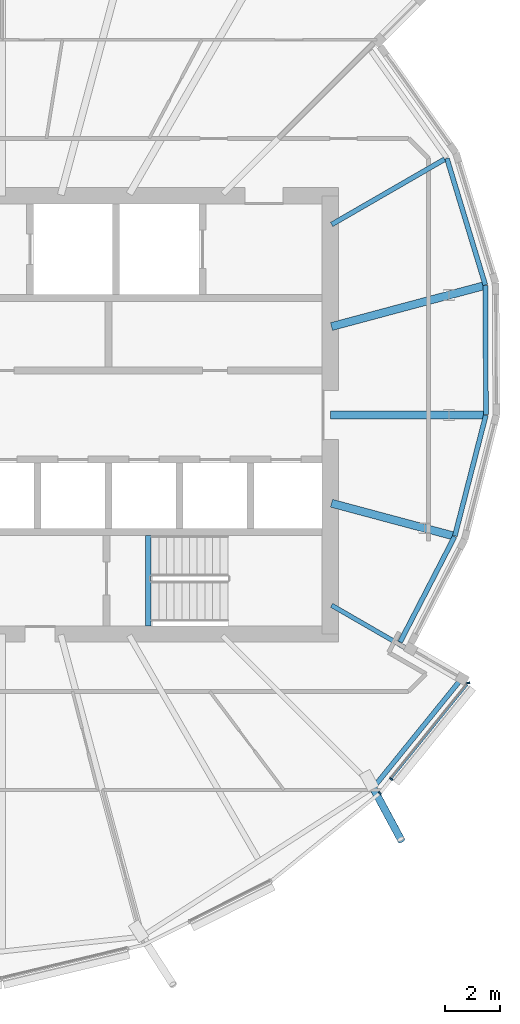
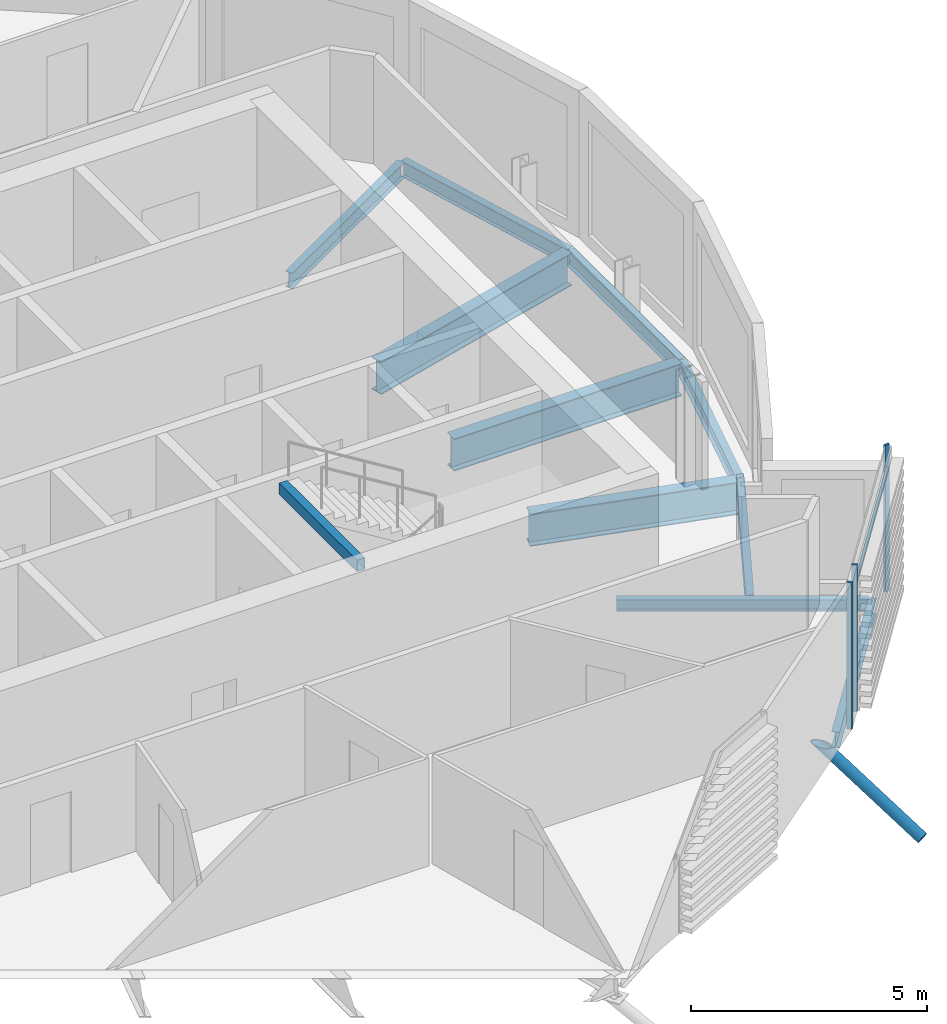
# One storey, part 15 of 38: 11 beams, 5 members, 1 element without a shape of its own.
"""IFC4 building model written with IfcOpenShell, lengths in metres."""

from ifc_helpers import new_model, si_unit, direction, frame, origin, origin_2d, place, context, subcontext, project, spatial, rectangle, hollow_rectangle, hollow_circle, i_section, extrude, clip, halfspace, material, material_profile, profile_set, type_object, element, aggregate, save


model = new_model("IFC4")

# Units and contexts
model_context = context("Model", 3, precision=1e-05, world=origin(), true_north=direction((0.0, 1.0)))
body_context = subcontext(model_context, "Body", "Model", "MODEL_VIEW")
ifc_project = project(units=[si_unit("LENGTHUNIT", "METRE"), si_unit("AREAUNIT", "SQUARE_METRE"), si_unit("VOLUMEUNIT", "CUBIC_METRE"), si_unit("PLANEANGLEUNIT", "RADIAN"), si_unit("MASSUNIT", "GRAM", prefix="KILO")], contexts=[model_context])

# Site, building, storey
site_placement = place(None, origin())
site = spatial("IfcSite", under=ifc_project, at=site_placement, CompositionType="ELEMENT")
building_placement = place(site_placement, origin())
building = spatial("IfcBuilding", under=site, at=building_placement, Name="Rimbun Link Towers", CompositionType="ELEMENT")
storey_placement = place(building_placement, frame((0.0, 0.0, 185.5)))
storey = spatial("IfcBuildingStorey", under=building, at=storey_placement, Name="L45", CompositionType="ELEMENT", Elevation=185.5)

# Curtain wall, members
ifc_material_1 = material(Name="Aluminium 6063-T6 and low-iron glass", Category="aluminium")
curtain_wall_type = type_object("IfcCurtainWallType", Name="CW1-Z3 unitised vision wall (zone 3)", PredefinedType="NOTDEFINED", material=ifc_material_1)
curtain_wall_placement = place(storey_placement, origin())
curtain_wall = element("IfcCurtainWall", 1, at=curtain_wall_placement, inside=storey, type_object=curtain_wall_type, Name="CW1 L45 T2", PredefinedType="NOTDEFINED")
ifc_material_2 = material(Name="Aluminium 6063-T6", Category="aluminium")
ifc_material_profile_1 = material_profile(ifc_material_2, rectangle(XDim=0.1201171875, YDim=0.06005859375, at=origin_2d()), Name="MULLION 60X120")
ifc_profile_set_1 = profile_set([ifc_material_profile_1], Name="Aluminium 6063-T6")
member_type_1 = type_object("IfcMemberType", Name="CW1 mullion 60X120", PredefinedType="MULLION", material=ifc_profile_set_1)
member_1_placement = place(storey_placement, frame((45.5517578125, -13.810546875, 0.0), z_axis=(0.0, 0.0, 1.0), x_axis=(0.629146339344, -0.777286873483, 0.0)))
member_1 = element("IfcMember", 2, at=member_1_placement, type_object=member_type_1, Name="CW1 mullion", PredefinedType="MULLION", context=body_context, shape_type="SweptSolid", body=[
    extrude(rectangle(XDim=0.1201171875, YDim=0.06005859375, at=origin_2d()), origin(), (0.0, 0.0, 1.0), 3.800048828125),
])
member_2_placement = place(storey_placement, frame((48.781982421875, -9.78857421875, 0.0), z_axis=(0.0, 0.0, 1.0), x_axis=(0.983235654345, 0.182339375958, 0.0)))
member_2 = element("IfcMember", 3, at=member_2_placement, type_object=member_type_1, Name="CW1 mullion", PredefinedType="MULLION", context=body_context, shape_type="SweptSolid", body=[
    extrude(rectangle(XDim=0.1201171875, YDim=0.06005859375, at=origin_2d()), origin(), (0.0, 0.0, 1.0), 3.800048828125),
])
member_3_placement = place(storey_placement, frame((45.969482421875, -13.296630859375, 0.0), z_axis=(0.0, 0.0, 1.0), x_axis=(0.777286873483, -0.629146339344, 0.0)))
member_3 = element("IfcMember", 4, at=member_3_placement, type_object=member_type_1, Name="CW1 mullion", PredefinedType="MULLION", context=body_context, shape_type="SweptSolid", body=[
    extrude(rectangle(XDim=0.1201171875, YDim=0.06005859375, at=origin_2d()), origin(), (0.0, 0.0, 1.0), 3.800048828125),
])
ifc_material_3 = material(Name="Aluminium 6063-T6", Category="aluminium")
ifc_material_profile_2 = material_profile(ifc_material_3, rectangle(XDim=0.06005859375, YDim=0.1201171875, at=origin_2d()), Name="TRANSOM 60X120")
ifc_profile_set_2 = profile_set([ifc_material_profile_2], Name="Aluminium 6063-T6")
member_type_2 = type_object("IfcMemberType", Name="CW1 transom 60X120", PredefinedType="USERDEFINED", material=ifc_profile_set_2)
member_4_placement = place(storey_placement, frame((48.749267578125, -9.859130859375, 3.199951171875), z_axis=(-0.629153440158, -0.777281125936, 0.0), x_axis=(0.777281125936, -0.629153440158, 0.0)))
member_4 = element("IfcMember", 5, at=member_4_placement, type_object=member_type_2, Name="CW1 transom", ObjectType="TRANSOM", PredefinedType="USERDEFINED", context=body_context, shape_type="SweptSolid", body=[
    extrude(rectangle(XDim=0.06005859375, YDim=0.1201171875, at=origin_2d()), origin(), (0.0, 0.0, 1.0), 4.390625),
])
aggregate(curtain_wall, [member_1, member_2, member_3, member_4])

# Member
ifc_material_4 = material(Name="Steel S355J2H", Category="steel")
ifc_material_profile_3 = material_profile(ifc_material_4, hollow_circle(Radius=0.136474609375, WallThickness=0.012451171875, at=origin_2d()), Name="CHS 273x12.5")
ifc_profile_set_3 = profile_set([ifc_material_profile_3], Name="Steel S355J2H")
member_type_3 = type_object("IfcMemberType", Name="Floor edge link CHS 273x12.5", PredefinedType="BRACE", material=ifc_profile_set_3)
member_5_placement = place(storey_placement, frame((45.23681640625, -13.48681640625, -0.673095703125), z_axis=(0.406262792809, -0.75507882204, -0.514593544155), x_axis=(0.880625921507, 0.473812184699, 0.0)))
element("IfcMember", 6, at=member_5_placement, inside=storey, type_object=member_type_3, Name="Floor edge link T2 L45 18", PredefinedType="BRACE", context=body_context, shape_type="Clipping", body=[
    clip(extrude(hollow_circle(Radius=0.136474609375, WallThickness=0.012451171875, at=origin_2d()), frame((0.0, 0.0, -0.474365234375)), (0.0, 0.0, 1.0), 3.18994140625), halfspace(frame((0.0, 0.0, -0.222900390625), z_axis=(0.0, 0.857434244892, -0.514593544155)), False)),
])

# Beams
ifc_material_5 = material(Name="Steel S355J2", Category="steel")
ifc_material_profile_4 = material_profile(ifc_material_5, hollow_rectangle(XDim=0.199951171875, YDim=0.300048828125, WallThickness=0.011962890625, at=origin_2d()), Name="BOX 300x200x12")
ifc_profile_set_4 = profile_set([ifc_material_profile_4], Name="Steel S355J2")
beam_type_1 = type_object("IfcBeamType", Name="Stair trimmer beam BOX 300x200x12", PredefinedType="BEAM", material=ifc_profile_set_4)
beam_1_placement = place(storey_placement, frame((37.10009765625, -7.699951171875, 3.5), z_axis=(0.0, 1.0, 0.0), x_axis=(-1.0, 0.0, 0.0)))
element("IfcBeam", 7, at=beam_1_placement, inside=storey, type_object=beam_type_1, Name="L45 ST4 stair beam 1", PredefinedType="BEAM", context=body_context, shape_type="SweptSolid", body=[
    extrude(hollow_rectangle(XDim=0.199951171875, YDim=0.300048828125, WallThickness=0.011962890625, at=origin_2d()), origin(), (0.0, 0.0, 1.0), 3.300048828125),
])
ifc_material_6 = material(Name="Steel S355J2", Category="steel")
ifc_material_profile_5 = material_profile(ifc_material_6, i_section(OverallWidth=0.1650390625, OverallDepth=0.303466796875, WebThickness=0.006103515625, FlangeThickness=0.01025390625, at=origin_2d()), Name="UB 305x165x40")
ifc_profile_set_5 = profile_set([ifc_material_profile_5], Name="Steel S355J2")
beam_type_2 = type_object("IfcBeamType", Name="UB 305x165x40", PredefinedType="BEAM", material=ifc_profile_set_5)
beam_2_placement = place(storey_placement, frame((43.7919921875, -6.952392578125, -0.3017578125), z_axis=(0.866032834954, -0.499987128616, 0.0), x_axis=(0.499987128616, 0.866032834954, 0.0)))
element("IfcBeam", 8, at=beam_2_placement, inside=storey, type_object=beam_type_2, Name="Radial beam T2 L45 19", PredefinedType="BEAM", context=body_context, shape_type="SweptSolid", body=[
    extrude(i_section(OverallWidth=0.1650390625, OverallDepth=0.303466796875, WebThickness=0.006103515625, FlangeThickness=0.01025390625, at=origin_2d()), origin(), (0.0, 0.0, 1.0), 5.349853515625),
])
ifc_material_7 = material(Name="Steel S355J2", Category="steel")
ifc_material_profile_6 = material_profile(ifc_material_7, i_section(OverallWidth=0.177978515625, OverallDepth=0.406494140625, WebThickness=0.0078125, FlangeThickness=0.0126953125, at=origin_2d()), Name="UB 406x178x60")
ifc_profile_set_6 = profile_set([ifc_material_profile_6], Name="Steel S355J2")
beam_type_3 = type_object("IfcBeamType", Name="UB 406x178x60", PredefinedType="BEAM", material=ifc_profile_set_6)
beam_3_placement = place(storey_placement, frame((43.79541015625, 6.954345703125, -0.353271484375), z_axis=(0.866016540383, 0.500015351548, 0.0), x_axis=(-0.500015351548, 0.866016540383, 0.0)))
element("IfcBeam", 9, at=beam_3_placement, inside=storey, type_object=beam_type_3, Name="Radial beam T2 L45 23", PredefinedType="BEAM", context=body_context, shape_type="SweptSolid", body=[
    extrude(i_section(OverallWidth=0.177978515625, OverallDepth=0.406494140625, WebThickness=0.0078125, FlangeThickness=0.0126953125, at=origin_2d()), origin(), (0.0, 0.0, 1.0), 4.761962890625),
])
beam_4_placement = place(storey_placement, frame((45.3369140625, -13.58544921875, -0.353271484375), z_axis=(0.629139614916, 0.777292316277, 0.0), x_axis=(-0.777292316277, 0.629139614916, 0.0)))
element("IfcBeam", 10, at=beam_4_placement, inside=storey, type_object=beam_type_3, Name="Edge beam T2 L45 18", PredefinedType="BEAM", context=body_context, shape_type="SweptSolid", body=[
    extrude(i_section(OverallWidth=0.177978515625, OverallDepth=0.406494140625, WebThickness=0.0078125, FlangeThickness=0.0126953125, at=origin_2d()), origin(), (0.0, 0.0, 1.0), 5.03271484375),
])
beam_5_placement = place(storey_placement, frame((46.292236328125, -8.294921875, -0.353271484375), z_axis=(0.459150356136, 0.888358570882, 0.0), x_axis=(-0.888358570882, 0.459150356136, 0.0)))
element("IfcBeam", 11, at=beam_5_placement, inside=storey, type_object=beam_type_3, Name="Edge beam T2 L45 19 recess", PredefinedType="BEAM", context=body_context, shape_type="SweptSolid", body=[
    extrude(i_section(OverallWidth=0.177978515625, OverallDepth=0.406494140625, WebThickness=0.0078125, FlangeThickness=0.0126953125, at=origin_2d()), origin(), (0.0, 0.0, 1.0), 4.337890625),
])
beam_6_placement = place(storey_placement, frame((48.291748046875, -4.4208984375, -0.353271484375), z_axis=(0.248550847241, 0.968618849876, 0.0), x_axis=(-0.968618849876, 0.248550847241, 0.0)))
element("IfcBeam", 12, at=beam_6_placement, inside=storey, type_object=beam_type_3, Name="Edge beam T2 L45 20 recess", PredefinedType="BEAM", context=body_context, shape_type="SweptSolid", body=[
    extrude(i_section(OverallWidth=0.177978515625, OverallDepth=0.406494140625, WebThickness=0.0078125, FlangeThickness=0.0126953125, at=origin_2d()), origin(), (0.0, 0.0, 1.0), 4.5517578125),
])
beam_7_placement = place(storey_placement, frame((49.426025390625, 0.012451171875, -0.353271484375), z_axis=(-0.003891828759, 0.999992426806, 0.0), x_axis=(-0.999992426806, -0.003891828759, 0.0)))
element("IfcBeam", 13, at=beam_7_placement, inside=storey, type_object=beam_type_3, Name="Edge beam T2 L45 21 recess", PredefinedType="BEAM", context=body_context, shape_type="SweptSolid", body=[
    extrude(i_section(OverallWidth=0.177978515625, OverallDepth=0.406494140625, WebThickness=0.0078125, FlangeThickness=0.0126953125, at=origin_2d()), origin(), (0.0, 0.0, 1.0), 4.704833984375),
])
beam_8_placement = place(storey_placement, frame((49.40380859375, 4.744873046875, -0.353271484375), z_axis=(-0.290310480338, 0.956932508073, 0.0), x_axis=(-0.956932508073, -0.290310480338, 0.0)))
element("IfcBeam", 14, at=beam_8_placement, inside=storey, type_object=beam_type_3, Name="Edge beam T2 L45 22 recess", PredefinedType="BEAM", context=body_context, shape_type="SweptSolid", body=[
    extrude(i_section(OverallWidth=0.177978515625, OverallDepth=0.406494140625, WebThickness=0.0078125, FlangeThickness=0.0126953125, at=origin_2d()), origin(), (0.0, 0.0, 1.0), 4.828857421875),
])
ifc_material_8 = material(Name="Steel S355J2", Category="steel")
ifc_material_profile_7 = material_profile(ifc_material_8, i_section(OverallWidth=0.29248046875, OverallDepth=0.8408203125, WebThickness=0.0126953125, FlangeThickness=0.021728515625, at=origin_2d()), Name="UB 838x292x194")
ifc_profile_set_7 = profile_set([ifc_material_profile_7], Name="Steel S355J2")
beam_type_4 = type_object("IfcBeamType", Name="UB 838x292x194", PredefinedType="BEAM", material=ifc_profile_set_7)
beam_9_placement = place(storey_placement, frame((43.788818359375, -3.225830078125, -0.5703125), z_axis=(0.965928253134, -0.258809987824, 0.0), x_axis=(0.258809987824, 0.965928253134, 0.0)))
element("IfcBeam", 15, at=beam_9_placement, inside=storey, type_object=beam_type_4, Name="Radial beam T2 L45 20", PredefinedType="BEAM", context=body_context, shape_type="SweptSolid", body=[
    extrude(i_section(OverallWidth=0.29248046875, OverallDepth=0.8408203125, WebThickness=0.0126953125, FlangeThickness=0.021728515625, at=origin_2d()), origin(), (0.0, 0.0, 1.0), 4.568603515625),
])
beam_10_placement = place(storey_placement, frame((43.7509765625, 0.0, -0.5703125), z_axis=(1.0, 0.0, 0.0), x_axis=(0.0, 1.0, 0.0)))
element("IfcBeam", 16, at=beam_10_placement, inside=storey, type_object=beam_type_4, Name="Radial beam T2 L45 21", PredefinedType="BEAM", context=body_context, shape_type="SweptSolid", body=[
    extrude(i_section(OverallWidth=0.29248046875, OverallDepth=0.8408203125, WebThickness=0.0126953125, FlangeThickness=0.021728515625, at=origin_2d()), origin(), (0.0, 0.0, 1.0), 5.58447265625),
])
beam_11_placement = place(storey_placement, frame((43.788818359375, 3.225830078125, -0.5703125), z_axis=(0.965925025357, 0.258822034203, 0.0), x_axis=(-0.258822034203, 0.965925025357, 0.0)))
element("IfcBeam", 17, at=beam_11_placement, inside=storey, type_object=beam_type_4, Name="Radial beam T2 L45 22", PredefinedType="BEAM", context=body_context, shape_type="SweptSolid", body=[
    extrude(i_section(OverallWidth=0.29248046875, OverallDepth=0.8408203125, WebThickness=0.0126953125, FlangeThickness=0.021728515625, at=origin_2d()), origin(), (0.0, 0.0, 1.0), 5.7265625),
])

save(model, "model.ifc")
